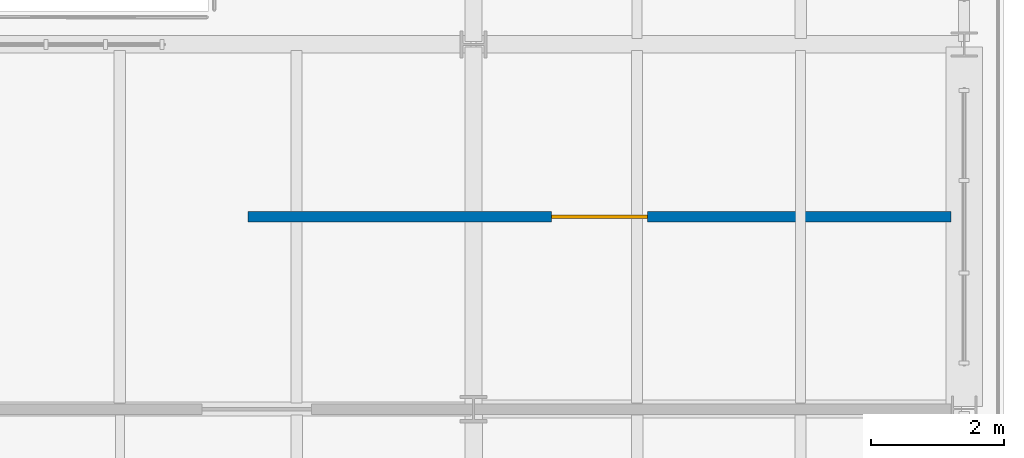
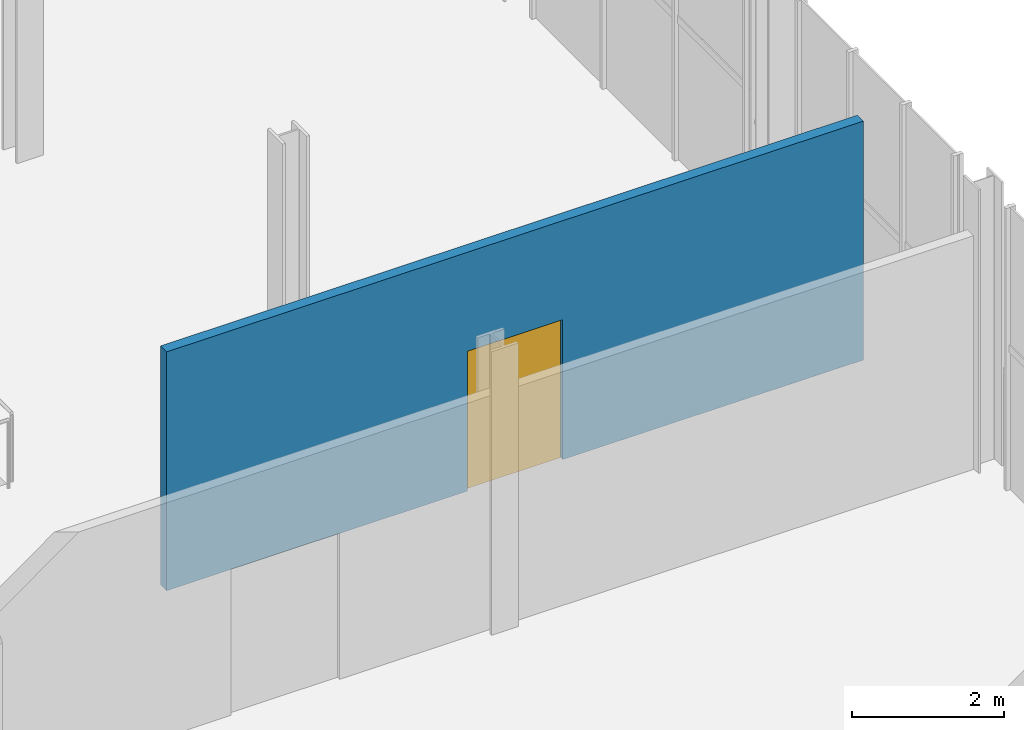
# One storey, part 54 of 70: 1 door, 1 wall, 1 opening.
"""IFC4 building model written with IfcOpenShell, lengths in metres."""

from ifc_helpers import new_model, si_unit, direction, frame, frame_2d, origin, place, context, subcontext, project, spatial, rectangle, extrude, material, layer, layer_set, type_object, element, fill, save


model = new_model("IFC4")

# Units and contexts
model_context = context("Model", 3, precision=1e-05, world=origin(), true_north=direction((0.0, 1.0)))
body_context = subcontext(model_context, "Body", "Model", "MODEL_VIEW")
ifc_project = project(units=[si_unit("LENGTHUNIT", "METRE"), si_unit("AREAUNIT", "SQUARE_METRE"), si_unit("VOLUMEUNIT", "CUBIC_METRE"), si_unit("PLANEANGLEUNIT", "RADIAN"), si_unit("MASSUNIT", "GRAM", prefix="KILO")], contexts=[model_context])

# Site, building, storey
site_placement = place(None, origin())
site = spatial("IfcSite", under=ifc_project, at=site_placement, CompositionType="ELEMENT")
building_placement = place(site_placement, origin())
building = spatial("IfcBuilding", under=site, at=building_placement, Name="Brisemont Oceanarium", CompositionType="ELEMENT")
storey_placement = place(building_placement, frame((0.0, 0.0, 10.199951171875)))
storey = spatial("IfcBuildingStorey", under=building, at=storey_placement, Name="L02", CompositionType="ELEMENT", Elevation=10.199951171875)

# Wall, opening, door
ifc_material_1 = material(Name="Moisture-Resistant Gypsum Steel-Stud Partition", Category="steel")
ifc_layer = layer(ifc_material_1, 0.159912109375)
ifc_layer_set = layer_set([ifc_layer], Name="Moisture-Resistant Gypsum Steel-Stud Partition")
wall_type = type_object("IfcWallType", Name="IW-FB-160", PredefinedType="PARTITIONING", material=ifc_layer_set)
wall_placement = place(storey_placement, frame((148.60009765625, 90.89990234375, 0.0), z_axis=(0.0, 0.0, 1.0), x_axis=(1.0, 0.0, 0.0)))
wall = element("IfcWall", 1, at=wall_placement, inside=storey, type_object=wall_type, Name="Marine Toxicology Mass-Spec Laboratory corridor partition", PredefinedType="PARTITIONING", context=body_context, shape_type="SweptSolid", body=[
    extrude(rectangle(XDim=10.599853515625, YDim=0.159912109375, at=frame_2d((5.2998046875, 0.0))), origin(), (0.0, 0.0, 1.0), 3.842041015625),
])
opening_placement = place(wall_placement, frame((4.574951171875, 0.0, 0.0)))
opening = element("IfcOpeningElement", 2, at=opening_placement, cuts=wall, Name="Opening FD90-1", PredefinedType="OPENING", context=body_context, shape_type="SweptSolid", body=[
    extrude(rectangle(XDim=1.449951171875, YDim=2.25, at=frame_2d((0.72509765625, 1.125))), frame((0.0, 0.08984375, 0.0), z_axis=(0.0, -1.0, 0.0), x_axis=(1.0, 0.0, 0.0)), (0.0, 0.0, 1.0), 0.179931640625),
])
ifc_material_2 = material(Name="FSC White Oak Solid-Core Fire Door")
door_type = type_object("IfcDoorType", Name="DR-LOB-1450X2250", OperationType="NOTDEFINED", PredefinedType="DOOR", material=ifc_material_2)
door_placement = place(opening_placement, origin())
door = element("IfcDoor", 3, at=door_placement, inside=storey, type_object=door_type, Name="FD90-1 door to Marine Toxicology Mass-Spec Laboratory", OperationType="SINGLE_SWING_LEFT", OverallHeight=2.25, OverallWidth=1.449951171875, PredefinedType="DOOR", context=body_context, shape_type="SweptSolid", body=[
    extrude(rectangle(XDim=1.449951171875, YDim=2.25, at=frame_2d((0.72509765625, 1.125))), frame((0.0, 0.02490234375, 0.0), z_axis=(0.0, -1.0, 0.0), x_axis=(1.0, 0.0, 0.0)), (0.0, 0.0, 1.0), 0.050048828125),
])
fill(opening, door)

save(model, "model.ifc")
